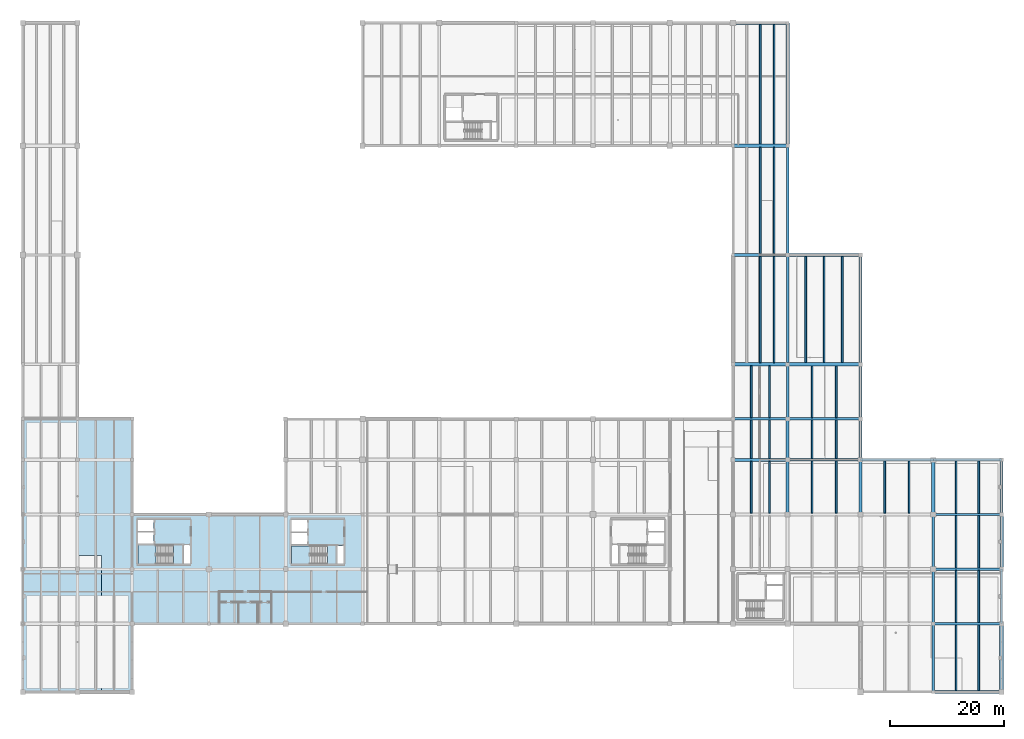
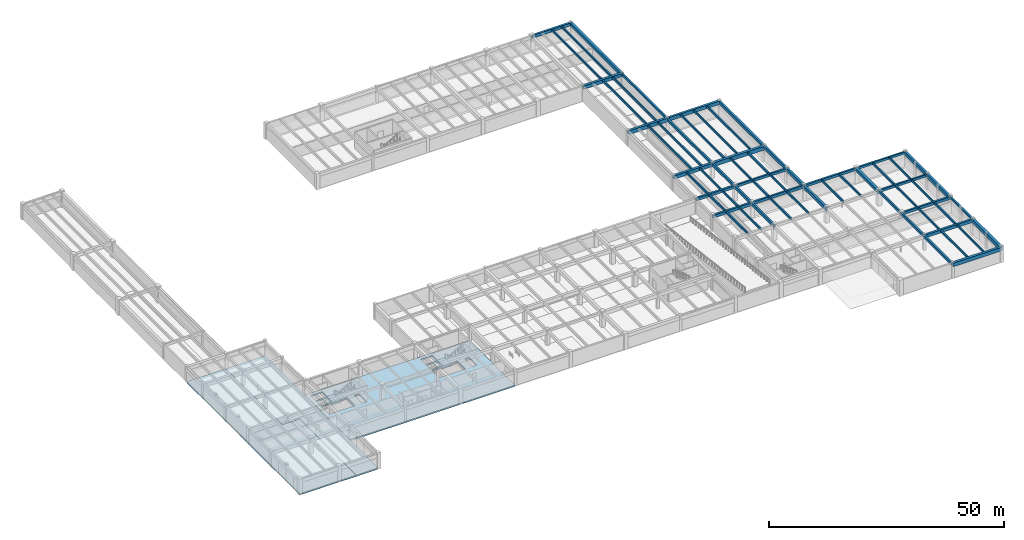
# One storey, part 6 of 28: 65 beams, 5 slabs, 2 elements without a shape of their own.
"""IFC4 building model written with IfcOpenShell, lengths in metres."""

import ifcopenshell
import ifcopenshell.guid

model = None  # the IFC model being written
_history = None  # IfcOwnerHistory: only IFC2X3 demands one
_inside = {}  # id of a spatial element -> (the spatial element, [elements in it])
_under = {}  # id of a project, library or spatial element -> (it, [spatial elements below it])
_declared = {}  # id of a project -> (the project, [libraries it declares])
_typed = {}  # id of a type object -> (the type object, [elements of that type])
_made_of = {}  # id of a material, layer set ... -> (it, [elements and type objects made of it])


def new_model(schema):
    """Start an empty IFC model of exactly this schema.

    Asked for "IFC4X3", IfcOpenShell would pick the latest addendum, in which some entities
    have other attributes; the version numbers below select the first issue.
    IFC2X3 requires an IfcOwnerHistory on every rooted entity: one is made here for all.
    """
    global model, _history
    if schema == "IFC4X3":
        model = ifcopenshell.file(schema_version=(4, 3, 0, 0))
    else:
        model = ifcopenshell.file(schema=schema)
    _inside.clear()
    _under.clear()
    _declared.clear()
    _typed.clear()
    _made_of.clear()
    _history = None
    if model.schema == "IFC2X3":
        org = make("IfcOrganization", Name="unknown")
        user = make(
            "IfcPersonAndOrganization",
            ThePerson=make("IfcPerson", FamilyName="unknown"),
            TheOrganization=org,
        )
        app = make(
            "IfcApplication",
            ApplicationDeveloper=org,
            Version="unknown",
            ApplicationFullName="unknown",
            ApplicationIdentifier="unknown",
        )
        _history = make(
            "IfcOwnerHistory",
            OwningUser=user,
            OwningApplication=app,
            ChangeAction="ADDED",
            CreationDate=0,
        )
    return model


def make(cls, **values):
    """One entity of the class cls with the attributes given. An attribute that is None is left unset."""
    return model.create_entity(
        cls, **{name: value for name, value in values.items() if value is not None}
    )


def rooted(cls, **values):
    """An entity with a GlobalId (a new one), such as an element, a storey or a relation."""
    return make(cls, GlobalId=ifcopenshell.guid.new(), OwnerHistory=_history, **values)


def si_unit(unit_type, name, prefix=None):
    """IfcSIUnit, for example si_unit("LENGTHUNIT", "METRE", prefix="MILLI")."""
    return make("IfcSIUnit", UnitType=unit_type, Prefix=prefix, Name=name)


def assignment(units):
    """IfcUnitAssignment: the units of a project."""
    return None if units is None else make("IfcUnitAssignment", Units=units)


def point(xyz):
    """IfcCartesianPoint."""
    return None if xyz is None else make("IfcCartesianPoint", Coordinates=xyz)


def direction(xyz):
    """IfcDirection."""
    return None if xyz is None else make("IfcDirection", DirectionRatios=xyz)


def frame(location, z_axis=None, x_axis=None):
    """IfcAxis2Placement3D, a coordinate frame: its origin and axes. An axis left out is left unset."""
    return make(
        "IfcAxis2Placement3D",
        Location=point(location),
        Axis=direction(z_axis),
        RefDirection=direction(x_axis),
    )


def frame_2d(location, x_axis=None):
    """IfcAxis2Placement2D, a coordinate frame in the plane: its origin and x axis."""
    return make(
        "IfcAxis2Placement2D", Location=point(location), RefDirection=direction(x_axis)
    )


def origin():
    """The frame at (0, 0, 0) with its axes left unset."""
    return frame((0.0, 0.0, 0.0))


def origin_2d():
    """The frame at (0, 0) in the plane with its x axis left unset."""
    return frame_2d((0.0, 0.0))


def place(relative_to, where):
    """IfcLocalPlacement: puts the frame where relative to a parent placement (None: the world)."""
    return make(
        "IfcLocalPlacement", PlacementRelTo=relative_to, RelativePlacement=where
    )


def context(
    kind, dimensions, precision=None, world=None, true_north=None, identifier=None
):
    """IfcGeometricRepresentationContext, for example the 3D "Model" context."""
    return make(
        "IfcGeometricRepresentationContext",
        ContextIdentifier=identifier,
        ContextType=kind,
        CoordinateSpaceDimension=dimensions,
        Precision=precision,
        WorldCoordinateSystem=world,
        TrueNorth=true_north,
    )


def subcontext(parent, identifier, kind, view, scale=None):
    """IfcGeometricRepresentationSubContext, for example "Body" below "Model"."""
    return make(
        "IfcGeometricRepresentationSubContext",
        ContextIdentifier=identifier,
        ContextType=kind,
        ParentContext=parent,
        TargetScale=scale,
        TargetView=view,
    )


def project(units=None, contexts=None):
    """IfcProject with its units and contexts."""
    return rooted(
        "IfcProject",
        Name="project",
        RepresentationContexts=contexts,
        UnitsInContext=assignment(units),
    )


def spatial(cls, under=None, at=None, **own):
    """A site, building, storey or space (cls), placed at a placement, below another one or the project."""
    s = rooted(cls, ObjectPlacement=at, **own)
    if under is not None:
        _under.setdefault(under.id(), (under, []))[1].append(s)
    return s


def polyline(points):
    """IfcPolyline through the points."""
    return make("IfcPolyline", Points=[point(p) for p in points])


def profile(cls, at=None, kind="AREA", **sizes):
    """A parametric profile (cls). Its sizes go by their IFC names, for example OverallWidth=200.0."""
    return make(cls, ProfileType=kind, Position=at, **sizes)


def rectangle(**sizes):
    """IfcRectangleProfileDef."""
    return profile("IfcRectangleProfileDef", **sizes)


def outline(outer, holes=None, kind="AREA"):
    """IfcArbitraryClosedProfileDef: a profile drawn as a closed curve; with holes, ...WithVoids."""
    if holes is None:
        return make("IfcArbitraryClosedProfileDef", ProfileType=kind, OuterCurve=outer)
    return make(
        "IfcArbitraryProfileDefWithVoids",
        ProfileType=kind,
        OuterCurve=outer,
        InnerCurves=holes,
    )


def extrude(swept, where, along, depth):
    """IfcExtrudedAreaSolid: the profile swept, set in the frame where, extruded along a direction by depth."""
    return make(
        "IfcExtrudedAreaSolid",
        SweptArea=swept,
        Position=where,
        ExtrudedDirection=direction(along),
        Depth=depth,
    )


def shape(context_of_items, identifier, shape_type, items):
    """IfcShapeRepresentation: the items that make up one representation, for example the "Body"."""
    return make(
        "IfcShapeRepresentation",
        ContextOfItems=context_of_items,
        RepresentationIdentifier=identifier,
        RepresentationType=shape_type,
        Items=items,
    )


def material(Name=None, Category=None):
    """IfcMaterial."""
    return make("IfcMaterial", Name=Name, Category=Category)


def layer(
    of_material, thickness, ventilated=None, Name=None, Category=None, Priority=None
):
    """IfcMaterialLayer: one layer of a wall or slab, of a material (None: an air gap)."""
    return make(
        "IfcMaterialLayer",
        Material=of_material,
        LayerThickness=thickness,
        IsVentilated=ventilated,
        Name=Name,
        Category=Category,
        Priority=Priority,
    )


def layer_set(layers, Name=None):
    """IfcMaterialLayerSet."""
    return make("IfcMaterialLayerSet", MaterialLayers=layers, LayerSetName=Name)


def material_profile(
    of_material, cross_section, Name=None, Category=None, Priority=None
):
    """IfcMaterialProfile: a cross section and its material."""
    return make(
        "IfcMaterialProfile",
        Name=Name,
        Material=of_material,
        Profile=cross_section,
        Priority=Priority,
        Category=Category,
    )


def profile_set(profiles, Name=None, composite=None):
    """IfcMaterialProfileSet."""
    return make(
        "IfcMaterialProfileSet",
        Name=Name,
        MaterialProfiles=profiles,
        CompositeProfile=composite,
    )


def made_of(thing, what):
    """Note that an element or type object is made of a material, layer set ...; save() writes the relation."""
    if what is not None:
        _made_of.setdefault(what.id(), (what, []))[1].append(thing)
    return thing


def type_object(cls, material=None, **own):
    """A type object (cls), such as IfcWallType, which elements share."""
    return made_of(rooted(cls, **own), material)


def element(
    cls,
    number,
    at=None,
    inside=None,
    cuts=None,
    type_object=None,
    material=None,
    context=None,
    identifier="Body",
    shape_type=None,
    held_by="IfcProductDefinitionShape",
    body=None,
    shapes=None,
    **own,
):
    """One element of the class cls, such as IfcWall. Its Tag is "e" and its number.

    at: its placement. inside: the storey or other place that contains it. cuts: it is an
    opening in that element (IfcRelVoidsElement). A single representation is given by context,
    identifier, shape_type and body (its items); several are given by shapes. held_by: the class
    of the entity that holds the representations. save() writes the other relations.
    """
    e = rooted(cls, Tag="e%d" % number, ObjectPlacement=at, **own)
    if body is not None:
        shapes = [shape(context, identifier, shape_type, body)]
    if shapes is not None:
        e.Representation = make(held_by, Representations=shapes)
    if inside is not None:
        _inside.setdefault(inside.id(), (inside, []))[1].append(e)
    if cuts is not None:
        rooted(
            "IfcRelVoidsElement", RelatingBuildingElement=cuts, RelatedOpeningElement=e
        )
    if type_object is not None:
        _typed.setdefault(type_object.id(), (type_object, []))[1].append(e)
    return made_of(e, material)


def aggregate(whole, parts):
    """IfcRelAggregates: a whole, such as a stair, and the parts it consists of."""
    return rooted("IfcRelAggregates", RelatingObject=whole, RelatedObjects=parts)


def save(model, path):
    """Write the relations noted so far, then the file.

    IfcRelAggregates (storeys below a building ...), IfcRelContainedInSpatialStructure (elements
    in a storey), IfcRelDefinesByType, IfcRelAssociatesMaterial and IfcRelDeclares: one each for
    every whole, place, type object, material and project.
    """
    for whole, parts in _under.values():
        aggregate(whole, parts)
    for where, things in _inside.values():
        rooted(
            "IfcRelContainedInSpatialStructure",
            RelatedElements=things,
            RelatingStructure=where,
        )
    for kind, things in _typed.values():
        rooted("IfcRelDefinesByType", RelatedObjects=things, RelatingType=kind)
    for what, things in _made_of.values():
        rooted("IfcRelAssociatesMaterial", RelatedObjects=things, RelatingMaterial=what)
    for by, libraries in _declared.values():
        rooted("IfcRelDeclares", RelatingContext=by, RelatedDefinitions=libraries)
    model.write(path)


model = new_model("IFC4")

# Units and contexts
model_context = context("Model", 3, precision=1e-05, world=origin(), true_north=direction((0.0, 1.0)))
body_context = subcontext(model_context, "Body", "Model", "MODEL_VIEW")
ifc_project = project(units=[si_unit("LENGTHUNIT", "METRE"), si_unit("AREAUNIT", "SQUARE_METRE"), si_unit("VOLUMEUNIT", "CUBIC_METRE"), si_unit("PLANEANGLEUNIT", "RADIAN"), si_unit("MASSUNIT", "GRAM", prefix="KILO")], contexts=[model_context])

# Site, building, storey
site_placement = place(None, origin())
site = spatial("IfcSite", under=ifc_project, at=site_placement, CompositionType="ELEMENT")
building_placement = place(site_placement, origin())
building = spatial("IfcBuilding", under=site, at=building_placement, Name="Fikremerkos Civic Library", CompositionType="ELEMENT")
storey_placement = place(building_placement, frame((0.0, 0.0, -4.199951171875)))
storey = spatial("IfcBuildingStorey", under=building, at=storey_placement, Name="B01", CompositionType="ELEMENT", Elevation=-4.199951171875)

# Beams
ifc_material_1 = material(Name="Concrete C40/50", Category="concrete")
ifc_material_profile_1 = material_profile(ifc_material_1, rectangle(XDim=0.300048828125, YDim=0.52001953125, at=origin_2d()), Name="RC 300x520")
ifc_profile_set_1 = profile_set([ifc_material_profile_1], Name="Concrete C40/50")
beam_type_1 = type_object("IfcBeamType", Name="Floor joist JS-03 RC 300x520", PredefinedType="JOIST", material=ifc_profile_set_1)
for number, where, z_axis, x_axis, name in (
    (1, (128.0, 31.449951171875, 3.619873046875), (0.0, 1.0, 0.0), (-1.0, 0.0, 0.0), "Floor joist JS-03 B01 #225"),
    (2, (131.199951171875, 31.449951171875, 3.619873046875), (0.0, 1.0, 0.0), (-1.0, 0.0, 0.0), "Floor joist JS-03 B01 #226"),
):
    element("IfcBeam", number, at=place(storey_placement, frame(where, z_axis=z_axis, x_axis=x_axis)), inside=storey, type_object=beam_type_1, Name=name, PredefinedType="JOIST", context=body_context, shape_type="SweptSolid", body=[
        extrude(rectangle(XDim=0.300048828125, YDim=0.52001953125, at=origin_2d()), origin(), (0.0, 0.0, 1.0), 9.10009765625),
    ])
for number, where, z_axis, x_axis, name in (
    (3, (128.0, 41.050048828125, 3.659912109375), (0.0, 1.0, 0.0), (-1.0, 0.0, 0.0), "Floor joist JS-03 B01 #227"),
    (4, (131.199951171875, 41.050048828125, 3.659912109375), (0.0, 1.0, 0.0), (-1.0, 0.0, 0.0), "Floor joist JS-03 B01 #228"),
):
    element("IfcBeam", number, at=place(storey_placement, frame(where, z_axis=z_axis, x_axis=x_axis)), inside=storey, type_object=beam_type_1, Name=name, PredefinedType="JOIST", context=body_context, shape_type="SweptSolid", body=[
        extrude(rectangle(XDim=0.300048828125, YDim=0.52001953125, at=origin_2d()), origin(), (0.0, 0.0, 1.0), 6.724853515625),
    ])
for number, where, z_axis, x_axis, name in (
    (5, (128.0, 48.22509765625, 3.659912109375), (0.0, 1.0, 0.0), (-1.0, 0.0, 0.0), "Floor joist JS-03 B01 #229"),
    (6, (131.199951171875, 48.22509765625, 3.659912109375), (0.0, 1.0, 0.0), (-1.0, 0.0, 0.0), "Floor joist JS-03 B01 #230"),
):
    element("IfcBeam", number, at=place(storey_placement, frame(where, z_axis=z_axis, x_axis=x_axis)), inside=storey, type_object=beam_type_1, Name=name, PredefinedType="JOIST", context=body_context, shape_type="SweptSolid", body=[
        extrude(rectangle(XDim=0.300048828125, YDim=0.52001953125, at=origin_2d()), origin(), (0.0, 0.0, 1.0), 9.074951171875),
    ])
for number, where, z_axis, x_axis, name in (
    (7, (129.60009765625, 57.89990234375, 3.659912109375), (0.0, 1.0, 0.0), (-1.0, 0.0, 0.0), "Floor joist JS-03 B01 #232"),
    (8, (132.0, 57.89990234375, 3.659912109375), (0.0, 1.0, 0.0), (-1.0, 0.0, 0.0), "Floor joist JS-03 B01 #233"),
):
    element("IfcBeam", number, at=place(storey_placement, frame(where, z_axis=z_axis, x_axis=x_axis)), inside=storey, type_object=beam_type_1, Name=name, PredefinedType="JOIST", context=body_context, shape_type="SweptSolid", body=[
        extrude(rectangle(XDim=0.300048828125, YDim=0.52001953125, at=origin_2d()), origin(), (0.0, 0.0, 1.0), 18.60009765625),
    ])
for number, where, z_axis, x_axis, name in (
    (9, (129.60009765625, 77.10009765625, 3.679931640625), (0.0, 1.0, 0.0), (-1.0, 0.0, 0.0), "Floor joist JS-03 B01 #235"),
    (10, (132.0, 77.10009765625, 3.679931640625), (0.0, 1.0, 0.0), (-1.0, 0.0, 0.0), "Floor joist JS-03 B01 #236"),
):
    element("IfcBeam", number, at=place(storey_placement, frame(where, z_axis=z_axis, x_axis=x_axis)), inside=storey, type_object=beam_type_1, Name=name, PredefinedType="JOIST", context=body_context, shape_type="SweptSolid", body=[
        extrude(rectangle(XDim=0.300048828125, YDim=0.52001953125, at=origin_2d()), origin(), (0.0, 0.0, 1.0), 18.599853515625),
    ])
for number, where, z_axis, x_axis, name in (
    (11, (129.60009765625, 96.300048828125, 3.659912109375), (0.0, 1.0, 0.0), (-1.0, 0.0, 0.0), "Floor joist JS-03 B01 #238"),
    (12, (132.0, 96.300048828125, 3.659912109375), (0.0, 1.0, 0.0), (-1.0, 0.0, 0.0), "Floor joist JS-03 B01 #239"),
):
    element("IfcBeam", number, at=place(storey_placement, frame(where, z_axis=z_axis, x_axis=x_axis)), inside=storey, type_object=beam_type_1, Name=name, PredefinedType="JOIST", context=body_context, shape_type="SweptSolid", body=[
        extrude(rectangle(XDim=0.300048828125, YDim=0.52001953125, at=origin_2d()), origin(), (0.0, 0.0, 1.0), 21.050048828125),
    ])
for number, where, z_axis, x_axis, name in (
    (13, (138.666748046875, 31.425048828125, 3.619873046875), (0.0, 1.0, 0.0), (-1.0, 0.0, 0.0), "Floor joist JS-03 B01 #244"),
    (14, (142.933349609375, 31.425048828125, 3.619873046875), (0.0, 1.0, 0.0), (-1.0, 0.0, 0.0), "Floor joist JS-03 B01 #245"),
):
    element("IfcBeam", number, at=place(storey_placement, frame(where, z_axis=z_axis, x_axis=x_axis)), inside=storey, type_object=beam_type_1, Name=name, PredefinedType="JOIST", context=body_context, shape_type="SweptSolid", body=[
        extrude(rectangle(XDim=0.300048828125, YDim=0.52001953125, at=origin_2d()), origin(), (0.0, 0.0, 1.0), 9.14990234375),
    ])
for number, where, z_axis, x_axis, name in (
    (15, (138.666748046875, 41.02490234375, 3.659912109375), (0.0, 1.0, 0.0), (-1.0, 0.0, 0.0), "Floor joist JS-03 B01 #246"),
    (16, (142.933349609375, 41.02490234375, 3.659912109375), (0.0, 1.0, 0.0), (-1.0, 0.0, 0.0), "Floor joist JS-03 B01 #247"),
):
    element("IfcBeam", number, at=place(storey_placement, frame(where, z_axis=z_axis, x_axis=x_axis)), inside=storey, type_object=beam_type_1, Name=name, PredefinedType="JOIST", context=body_context, shape_type="SweptSolid", body=[
        extrude(rectangle(XDim=0.300048828125, YDim=0.52001953125, at=origin_2d()), origin(), (0.0, 0.0, 1.0), 6.75),
    ])
for number, where, z_axis, x_axis, name in (
    (17, (138.666748046875, 48.22509765625, 3.659912109375), (0.0, 1.0, 0.0), (-1.0, 0.0, 0.0), "Floor joist JS-03 B01 #248"),
    (18, (142.933349609375, 48.22509765625, 3.659912109375), (0.0, 1.0, 0.0), (-1.0, 0.0, 0.0), "Floor joist JS-03 B01 #249"),
):
    element("IfcBeam", number, at=place(storey_placement, frame(where, z_axis=z_axis, x_axis=x_axis)), inside=storey, type_object=beam_type_1, Name=name, PredefinedType="JOIST", context=body_context, shape_type="SweptSolid", body=[
        extrude(rectangle(XDim=0.300048828125, YDim=0.52001953125, at=origin_2d()), origin(), (0.0, 0.0, 1.0), 9.0498046875),
    ])
for number, where, z_axis, x_axis, name in (
    (19, (137.60009765625, 57.925048828125, 3.659912109375), (0.0, 1.0, 0.0), (-1.0, 0.0, 0.0), "Floor joist JS-03 B01 #250"),
    (20, (140.800048828125, 57.925048828125, 3.659912109375), (0.0, 1.0, 0.0), (-1.0, 0.0, 0.0), "Floor joist JS-03 B01 #251"),
    (21, (144.0, 57.925048828125, 3.659912109375), (0.0, 1.0, 0.0), (-1.0, 0.0, 0.0), "Floor joist JS-03 B01 #252"),
):
    element("IfcBeam", number, at=place(storey_placement, frame(where, z_axis=z_axis, x_axis=x_axis)), inside=storey, type_object=beam_type_1, Name=name, PredefinedType="JOIST", context=body_context, shape_type="SweptSolid", body=[
        extrude(rectangle(XDim=0.300048828125, YDim=0.52001953125, at=origin_2d()), origin(), (0.0, 0.0, 1.0), 18.599853515625),
    ])
for number, where, z_axis, x_axis, name in (
    (22, (151.466796875, 31.425048828125, 3.619873046875), (0.0, 1.0, 0.0), (-1.0, 0.0, 0.0), "Floor joist JS-03 B01 #259"),
    (23, (155.7333984375, 31.425048828125, 3.619873046875), (0.0, 1.0, 0.0), (-1.0, 0.0, 0.0), "Floor joist JS-03 B01 #260"),
):
    element("IfcBeam", number, at=place(storey_placement, frame(where, z_axis=z_axis, x_axis=x_axis)), inside=storey, type_object=beam_type_1, Name=name, PredefinedType="JOIST", context=body_context, shape_type="SweptSolid", body=[
        extrude(rectangle(XDim=0.300048828125, YDim=0.52001953125, at=origin_2d()), origin(), (0.0, 0.0, 1.0), 9.14990234375),
    ])
for number, where, z_axis, x_axis, name in (
    (24, (164.0, 0.300048828125, 3.659912109375), (0.0, 1.0, 0.0), (-1.0, 0.0, 0.0), "Floor joist JS-03 B01 #261"),
    (25, (168.0, 0.300048828125, 3.659912109375), (0.0, 1.0, 0.0), (-1.0, 0.0, 0.0), "Floor joist JS-03 B01 #262"),
):
    element("IfcBeam", number, at=place(storey_placement, frame(where, z_axis=z_axis, x_axis=x_axis)), inside=storey, type_object=beam_type_1, Name=name, PredefinedType="JOIST", context=body_context, shape_type="SweptSolid", body=[
        extrude(rectangle(XDim=0.300048828125, YDim=0.52001953125, at=origin_2d()), origin(), (0.0, 0.0, 1.0), 11.449951171875),
    ])
for number, where, z_axis, x_axis, name in (
    (26, (164.0, 12.25, 3.619873046875), (0.0, 1.0, 0.0), (-1.0, 0.0, 0.0), "Floor joist JS-03 B01 #263"),
    (27, (168.0, 12.25, 3.619873046875), (0.0, 1.0, 0.0), (-1.0, 0.0, 0.0), "Floor joist JS-03 B01 #264"),
):
    element("IfcBeam", number, at=place(storey_placement, frame(where, z_axis=z_axis, x_axis=x_axis)), inside=storey, type_object=beam_type_1, Name=name, PredefinedType="JOIST", context=body_context, shape_type="SweptSolid", body=[
        extrude(rectangle(XDim=0.300048828125, YDim=0.52001953125, at=origin_2d()), origin(), (0.0, 0.0, 1.0), 9.125),
    ])
for number, where, z_axis, x_axis, name in (
    (28, (164.0, 21.824951171875, 3.619873046875), (0.0, 1.0, 0.0), (-1.0, 0.0, 0.0), "Floor joist JS-03 B01 #265"),
    (29, (168.0, 21.824951171875, 3.619873046875), (0.0, 1.0, 0.0), (-1.0, 0.0, 0.0), "Floor joist JS-03 B01 #266"),
):
    element("IfcBeam", number, at=place(storey_placement, frame(where, z_axis=z_axis, x_axis=x_axis)), inside=storey, type_object=beam_type_1, Name=name, PredefinedType="JOIST", context=body_context, shape_type="SweptSolid", body=[
        extrude(rectangle(XDim=0.300048828125, YDim=0.52001953125, at=origin_2d()), origin(), (0.0, 0.0, 1.0), 9.175048828125),
    ])
for number, where, z_axis, x_axis, name in (
    (30, (164.0, 31.39990234375, 3.619873046875), (0.0, 1.0, 0.0), (-1.0, 0.0, 0.0), "Floor joist JS-03 B01 #267"),
    (31, (168.0, 31.39990234375, 3.619873046875), (0.0, 1.0, 0.0), (-1.0, 0.0, 0.0), "Floor joist JS-03 B01 #268"),
):
    element("IfcBeam", number, at=place(storey_placement, frame(where, z_axis=z_axis, x_axis=x_axis)), inside=storey, type_object=beam_type_1, Name=name, PredefinedType="JOIST", context=body_context, shape_type="SweptSolid", body=[
        extrude(rectangle(XDim=0.300048828125, YDim=0.52001953125, at=origin_2d()), origin(), (0.0, 0.0, 1.0), 9.2001953125),
    ])
ifc_material_profile_2 = material_profile(ifc_material_1, rectangle(XDim=0.60009765625, YDim=0.949951171875, at=origin_2d()), Name="RC 600x950")
ifc_profile_set_2 = profile_set([ifc_material_profile_2], Name="Concrete C40/50")
beam_type_2 = type_object("IfcBeamType", Name="Primary girder BM-01 RC 600x950", PredefinedType="BEAM", material=ifc_profile_set_2)
beam_1_placement = place(storey_placement, frame((160.0, 0.0, 3.445068359375), z_axis=(1.0, 0.0, 0.0), x_axis=(0.0, 1.0, 0.0)))
element("IfcBeam", 32, at=beam_1_placement, inside=storey, type_object=beam_type_2, Name="Primary girder BM-01 B01 grid A", PredefinedType="BEAM", context=body_context, shape_type="SweptSolid", body=[
    extrude(rectangle(XDim=0.60009765625, YDim=0.949951171875, at=origin_2d()), origin(), (0.0, 0.0, 1.0), 12.0),
])
for number, where, z_axis, x_axis, name in (
    (33, (124.800048828125, 76.800048828125, 3.445068359375), (1.0, 0.0, 0.0), (0.0, 1.0, 0.0), "Primary girder BM-01 B01 grid L"),
    (34, (172.0, 21.60009765625, 3.405029296875), (0.0, 1.0, 0.0), (-1.0, 0.0, 0.0), "Primary girder BM-01 B01 grid 15"),
):
    element("IfcBeam", number, at=place(storey_placement, frame(where, z_axis=z_axis, x_axis=x_axis)), inside=storey, type_object=beam_type_2, Name=name, PredefinedType="BEAM", context=body_context, shape_type="SweptSolid", body=[
        extrude(rectangle(XDim=0.60009765625, YDim=0.949951171875, at=origin_2d()), origin(), (0.0, 0.0, 1.0), 9.599853515625),
    ])
ifc_material_profile_3 = material_profile(ifc_material_1, rectangle(XDim=0.550048828125, YDim=0.89990234375, at=origin_2d()), Name="RC 550x900")
ifc_profile_set_3 = profile_set([ifc_material_profile_3], Name="Concrete C40/50")
beam_type_3 = type_object("IfcBeamType", Name="Primary girder BM-02 RC 550x900", PredefinedType="BEAM", material=ifc_profile_set_3)
beam_2_placement = place(storey_placement, frame((134.39990234375, 76.800048828125, 3.469970703125), z_axis=(1.0, 0.0, 0.0), x_axis=(0.0, 1.0, 0.0)))
element("IfcBeam", 35, at=beam_2_placement, inside=storey, type_object=beam_type_3, Name="Primary girder BM-02 B01 grid L", PredefinedType="BEAM", context=body_context, shape_type="SweptSolid", body=[
    extrude(rectangle(XDim=0.550048828125, YDim=0.89990234375, at=origin_2d()), origin(), (0.0, 0.0, 1.0), 12.800048828125),
])
for number, where, z_axis, x_axis, name in (
    (36, (147.199951171875, 31.199951171875, 3.429931640625), (0.0, 1.0, 0.0), (-1.0, 0.0, 0.0), "Primary girder BM-02 B01 grid 13"),
    (37, (172.0, 31.199951171875, 3.429931640625), (0.0, 1.0, 0.0), (-1.0, 0.0, 0.0), "Primary girder BM-02 B01 grid 15"),
):
    element("IfcBeam", number, at=place(storey_placement, frame(where, z_axis=z_axis, x_axis=x_axis)), inside=storey, type_object=beam_type_3, Name=name, PredefinedType="BEAM", context=body_context, shape_type="SweptSolid", body=[
        extrude(rectangle(XDim=0.550048828125, YDim=0.89990234375, at=origin_2d()), origin(), (0.0, 0.0, 1.0), 9.60009765625),
    ])
ifc_material_profile_4 = material_profile(ifc_material_1, rectangle(XDim=0.550048828125, YDim=0.85009765625, at=origin_2d()), Name="RC 550x850")
ifc_profile_set_4 = profile_set([ifc_material_profile_4], Name="Concrete C40/50")
beam_type_4 = type_object("IfcBeamType", Name="Primary girder BM-03 RC 550x850", PredefinedType="BEAM", material=ifc_profile_set_4)
beam_3_placement = place(storey_placement, frame((147.199951171875, 40.800048828125, 3.494873046875), z_axis=(0.0, 1.0, 0.0), x_axis=(-1.0, 0.0, 0.0)))
element("IfcBeam", 38, at=beam_3_placement, inside=storey, type_object=beam_type_4, Name="Primary girder BM-03 B01 grid 13", PredefinedType="BEAM", context=body_context, shape_type="SweptSolid", body=[
    extrude(rectangle(XDim=0.550048828125, YDim=0.85009765625, at=origin_2d()), origin(), (0.0, 0.0, 1.0), 7.199951171875),
])
ifc_material_profile_5 = material_profile(ifc_material_1, rectangle(XDim=0.5, YDim=0.800048828125, at=origin_2d()), Name="RC 500x800")
ifc_profile_set_5 = profile_set([ifc_material_profile_5], Name="Concrete C40/50")
beam_type_5 = type_object("IfcBeamType", Name="Primary girder BM-04 RC 500x800", PredefinedType="BEAM", material=ifc_profile_set_5)
beam_4_placement = place(storey_placement, frame((160.0, 12.0, 3.47998046875), z_axis=(1.0, 0.0, 0.0), x_axis=(0.0, 1.0, 0.0)))
element("IfcBeam", 39, at=beam_4_placement, inside=storey, type_object=beam_type_5, Name="Primary girder BM-04 B01 grid E", PredefinedType="BEAM", context=body_context, shape_type="SweptSolid", body=[
    extrude(rectangle(XDim=0.5, YDim=0.800048828125, at=origin_2d()), origin(), (0.0, 0.0, 1.0), 12.0),
])
for number, where, z_axis, x_axis, name in (
    (40, (134.39990234375, 31.199951171875, 3.47998046875), (0.0, 1.0, 0.0), (-1.0, 0.0, 0.0), "Primary girder BM-04 B01 grid 12"),
    (41, (147.199951171875, 48.0, 3.52001953125), (0.0, 1.0, 0.0), (-1.0, 0.0, 0.0), "Primary girder BM-04 B01 grid 13"),
):
    element("IfcBeam", number, at=place(storey_placement, frame(where, z_axis=z_axis, x_axis=x_axis)), inside=storey, type_object=beam_type_5, Name=name, PredefinedType="BEAM", context=body_context, shape_type="SweptSolid", body=[
        extrude(rectangle(XDim=0.5, YDim=0.800048828125, at=origin_2d()), origin(), (0.0, 0.0, 1.0), 9.60009765625),
    ])
ifc_material_profile_6 = material_profile(ifc_material_1, rectangle(XDim=0.5, YDim=0.75, at=origin_2d()), Name="RC 500x750")
ifc_profile_set_6 = profile_set([ifc_material_profile_6], Name="Concrete C40/50")
beam_type_6 = type_object("IfcBeamType", Name="Primary girder BM-05 RC 500x750", PredefinedType="BEAM", material=ifc_profile_set_6)
for number, where, z_axis, x_axis, name in (
    (42, (124.800048828125, 40.800048828125, 3.5048828125), (1.0, 0.0, 0.0), (0.0, 1.0, 0.0), "Primary girder BM-05 B01 grid H"),
    (43, (124.800048828125, 117.60009765625, 3.544921875), (1.0, 0.0, 0.0), (0.0, 1.0, 0.0), "Primary girder BM-05 B01 grid N"),
):
    element("IfcBeam", number, at=place(storey_placement, frame(where, z_axis=z_axis, x_axis=x_axis)), inside=storey, type_object=beam_type_6, Name=name, PredefinedType="BEAM", context=body_context, shape_type="SweptSolid", body=[
        extrude(rectangle(XDim=0.5, YDim=0.75, at=origin_2d()), origin(), (0.0, 0.0, 1.0), 9.599853515625),
    ])
beam_5_placement = place(storey_placement, frame((134.39990234375, 40.800048828125, 3.544921875), z_axis=(0.0, 1.0, 0.0), x_axis=(-1.0, 0.0, 0.0)))
element("IfcBeam", 44, at=beam_5_placement, inside=storey, type_object=beam_type_6, Name="Primary girder BM-05 B01 grid 12", PredefinedType="BEAM", context=body_context, shape_type="SweptSolid", body=[
    extrude(rectangle(XDim=0.5, YDim=0.75, at=origin_2d()), origin(), (0.0, 0.0, 1.0), 7.199951171875),
])
beam_6_placement = place(storey_placement, frame((147.199951171875, 57.60009765625, 3.544921875), z_axis=(0.0, 1.0, 0.0), x_axis=(-1.0, 0.0, 0.0)))
element("IfcBeam", 45, at=beam_6_placement, inside=storey, type_object=beam_type_6, Name="Primary girder BM-05 B01 grid 13", PredefinedType="BEAM", context=body_context, shape_type="SweptSolid", body=[
    extrude(rectangle(XDim=0.5, YDim=0.75, at=origin_2d()), origin(), (0.0, 0.0, 1.0), 19.199951171875),
])
ifc_material_profile_7 = material_profile(ifc_material_1, rectangle(XDim=0.449951171875, YDim=0.699951171875, at=origin_2d()), Name="RC 450x700")
ifc_profile_set_7 = profile_set([ifc_material_profile_7], Name="Concrete C40/50")
beam_type_7 = type_object("IfcBeamType", Name="Primary girder BM-06 RC 450x700", PredefinedType="BEAM", material=ifc_profile_set_7)
beam_7_placement = place(storey_placement, frame((160.0, 21.60009765625, 3.530029296875), z_axis=(1.0, 0.0, 0.0), x_axis=(0.0, 1.0, 0.0)))
element("IfcBeam", 46, at=beam_7_placement, inside=storey, type_object=beam_type_7, Name="Primary girder BM-06 B01 grid F", PredefinedType="BEAM", context=body_context, shape_type="SweptSolid", body=[
    extrude(rectangle(XDim=0.449951171875, YDim=0.699951171875, at=origin_2d()), origin(), (0.0, 0.0, 1.0), 12.0),
])
beam_8_placement = place(storey_placement, frame((134.39990234375, 40.800048828125, 3.530029296875), z_axis=(1.0, 0.0, 0.0), x_axis=(0.0, 1.0, 0.0)))
element("IfcBeam", 47, at=beam_8_placement, inside=storey, type_object=beam_type_7, Name="Primary girder BM-06 B01 grid H", PredefinedType="BEAM", context=body_context, shape_type="SweptSolid", body=[
    extrude(rectangle(XDim=0.449951171875, YDim=0.699951171875, at=origin_2d()), origin(), (0.0, 0.0, 1.0), 12.800048828125),
])
beam_9_placement = place(storey_placement, frame((124.800048828125, 48.0, 3.570068359375), z_axis=(1.0, 0.0, 0.0), x_axis=(0.0, 1.0, 0.0)))
element("IfcBeam", 48, at=beam_9_placement, inside=storey, type_object=beam_type_7, Name="Primary girder BM-06 B01 grid J", PredefinedType="BEAM", context=body_context, shape_type="SweptSolid", body=[
    extrude(rectangle(XDim=0.449951171875, YDim=0.699951171875, at=origin_2d()), origin(), (0.0, 0.0, 1.0), 9.599853515625),
])
beam_10_placement = place(storey_placement, frame((134.39990234375, 48.0, 3.570068359375), z_axis=(0.0, 1.0, 0.0), x_axis=(-1.0, 0.0, 0.0)))
element("IfcBeam", 49, at=beam_10_placement, inside=storey, type_object=beam_type_7, Name="Primary girder BM-06 B01 grid 12", PredefinedType="BEAM", context=body_context, shape_type="SweptSolid", body=[
    extrude(rectangle(XDim=0.449951171875, YDim=0.699951171875, at=origin_2d()), origin(), (0.0, 0.0, 1.0), 9.60009765625),
])
beam_11_placement = place(storey_placement, frame((160.0, 0.0, 3.570068359375), z_axis=(0.0, 1.0, 0.0), x_axis=(-1.0, 0.0, 0.0)))
element("IfcBeam", 50, at=beam_11_placement, inside=storey, type_object=beam_type_7, Name="Primary girder BM-06 B01 grid 14", PredefinedType="BEAM", context=body_context, shape_type="SweptSolid", body=[
    extrude(rectangle(XDim=0.449951171875, YDim=0.699951171875, at=origin_2d()), origin(), (0.0, 0.0, 1.0), 12.0),
])
ifc_material_profile_8 = material_profile(ifc_material_1, rectangle(XDim=0.449951171875, YDim=0.64990234375, at=origin_2d()), Name="RC 450x650")
ifc_profile_set_8 = profile_set([ifc_material_profile_8], Name="Concrete C40/50")
beam_type_8 = type_object("IfcBeamType", Name="Primary girder BM-07 RC 450x650", PredefinedType="BEAM", material=ifc_profile_set_8)
for number, where, z_axis, x_axis, name in (
    (51, (147.199951171875, 40.800048828125, 3.554931640625), (1.0, 0.0, 0.0), (0.0, 1.0, 0.0), "Primary girder BM-07 B01 grid H"),
    (52, (134.39990234375, 48.0, 3.594970703125), (1.0, 0.0, 0.0), (0.0, 1.0, 0.0), "Primary girder BM-07 B01 grid J"),
):
    element("IfcBeam", number, at=place(storey_placement, frame(where, z_axis=z_axis, x_axis=x_axis)), inside=storey, type_object=beam_type_8, Name=name, PredefinedType="BEAM", context=body_context, shape_type="SweptSolid", body=[
        extrude(rectangle(XDim=0.449951171875, YDim=0.64990234375, at=origin_2d()), origin(), (0.0, 0.0, 1.0), 12.800048828125),
    ])
beam_12_placement = place(storey_placement, frame((134.39990234375, 57.60009765625, 3.594970703125), z_axis=(0.0, 1.0, 0.0), x_axis=(-1.0, 0.0, 0.0)))
element("IfcBeam", 53, at=beam_12_placement, inside=storey, type_object=beam_type_8, Name="Primary girder BM-07 B01 grid 12", PredefinedType="BEAM", context=body_context, shape_type="SweptSolid", body=[
    extrude(rectangle(XDim=0.449951171875, YDim=0.64990234375, at=origin_2d()), origin(), (0.0, 0.0, 1.0), 19.199951171875),
])
beam_13_placement = place(storey_placement, frame((160.0, 12.0, 3.554931640625), z_axis=(0.0, 1.0, 0.0), x_axis=(-1.0, 0.0, 0.0)))
element("IfcBeam", 54, at=beam_13_placement, inside=storey, type_object=beam_type_8, Name="Primary girder BM-07 B01 grid 14", PredefinedType="BEAM", context=body_context, shape_type="SweptSolid", body=[
    extrude(rectangle(XDim=0.449951171875, YDim=0.64990234375, at=origin_2d()), origin(), (0.0, 0.0, 1.0), 9.60009765625),
])
ifc_material_profile_9 = material_profile(ifc_material_1, rectangle(XDim=0.39990234375, YDim=0.60009765625, at=origin_2d()), Name="RC 400x600")
ifc_profile_set_9 = profile_set([ifc_material_profile_9], Name="Concrete C40/50")
beam_type_9 = type_object("IfcBeamType", Name="Primary girder BM-08 RC 400x600", PredefinedType="BEAM", material=ifc_profile_set_9)
for number, where, z_axis, x_axis, name in (
    (55, (160.0, 31.199951171875, 3.579833984375), (1.0, 0.0, 0.0), (0.0, 1.0, 0.0), "Primary girder BM-08 B01 grid G"),
    (56, (160.0, 40.800048828125, 3.579833984375), (1.0, 0.0, 0.0), (0.0, 1.0, 0.0), "Primary girder BM-08 B01 grid H"),
):
    element("IfcBeam", number, at=place(storey_placement, frame(where, z_axis=z_axis, x_axis=x_axis)), inside=storey, type_object=beam_type_9, Name=name, PredefinedType="BEAM", context=body_context, shape_type="SweptSolid", body=[
        extrude(rectangle(XDim=0.39990234375, YDim=0.60009765625, at=origin_2d()), origin(), (0.0, 0.0, 1.0), 12.0),
    ])
beam_14_placement = place(storey_placement, frame((134.39990234375, 76.800048828125, 3.639892578125), z_axis=(0.0, 1.0, 0.0), x_axis=(-1.0, 0.0, 0.0)))
element("IfcBeam", 57, at=beam_14_placement, inside=storey, type_object=beam_type_9, Name="Primary girder BM-08 B01 grid 12", PredefinedType="BEAM", context=body_context, shape_type="SweptSolid", body=[
    extrude(rectangle(XDim=0.39990234375, YDim=0.60009765625, at=origin_2d()), origin(), (0.0, 0.0, 1.0), 19.199951171875),
])
beam_15_placement = place(storey_placement, frame((160.0, 21.60009765625, 3.579833984375), z_axis=(0.0, 1.0, 0.0), x_axis=(-1.0, 0.0, 0.0)))
element("IfcBeam", 58, at=beam_15_placement, inside=storey, type_object=beam_type_9, Name="Primary girder BM-08 B01 grid 14", PredefinedType="BEAM", context=body_context, shape_type="SweptSolid", body=[
    extrude(rectangle(XDim=0.39990234375, YDim=0.60009765625, at=origin_2d()), origin(), (0.0, 0.0, 1.0), 9.599853515625),
])
ifc_material_profile_10 = material_profile(ifc_material_1, rectangle(XDim=0.60009765625, YDim=0.85009765625, at=origin_2d()), Name="RC 600x850")
ifc_profile_set_10 = profile_set([ifc_material_profile_10], Name="Concrete C40/50")
beam_type_10 = type_object("IfcBeamType", Name="Primary girder BM-24 RC 600x850", PredefinedType="BEAM", material=ifc_profile_set_10)
for number, where, z_axis, x_axis, name in (
    (59, (124.800048828125, 57.60009765625, 3.494873046875), (1.0, 0.0, 0.0), (0.0, 1.0, 0.0), "Primary girder BM-24 B01 grid K"),
    (60, (124.800048828125, 96.0, 3.494873046875), (1.0, 0.0, 0.0), (0.0, 1.0, 0.0), "Primary girder BM-24 B01 grid M"),
):
    element("IfcBeam", number, at=place(storey_placement, frame(where, z_axis=z_axis, x_axis=x_axis)), inside=storey, type_object=beam_type_10, Name=name, PredefinedType="BEAM", context=body_context, shape_type="SweptSolid", body=[
        extrude(rectangle(XDim=0.60009765625, YDim=0.85009765625, at=origin_2d()), origin(), (0.0, 0.0, 1.0), 9.599853515625),
    ])
beam_16_placement = place(storey_placement, frame((134.39990234375, 96.0, 3.494873046875), z_axis=(0.0, 1.0, 0.0), x_axis=(-1.0, 0.0, 0.0)))
element("IfcBeam", 61, at=beam_16_placement, inside=storey, type_object=beam_type_10, Name="Primary girder BM-24 B01 grid 12", PredefinedType="BEAM", context=body_context, shape_type="SweptSolid", body=[
    extrude(rectangle(XDim=0.60009765625, YDim=0.85009765625, at=origin_2d()), origin(), (0.0, 0.0, 1.0), 21.60009765625),
])
beam_17_placement = place(storey_placement, frame((160.0, 31.199951171875, 3.454833984375), z_axis=(0.0, 1.0, 0.0), x_axis=(-1.0, 0.0, 0.0)))
element("IfcBeam", 62, at=beam_17_placement, inside=storey, type_object=beam_type_10, Name="Primary girder BM-24 B01 grid 14", PredefinedType="BEAM", context=body_context, shape_type="SweptSolid", body=[
    extrude(rectangle(XDim=0.60009765625, YDim=0.85009765625, at=origin_2d()), origin(), (0.0, 0.0, 1.0), 9.60009765625),
])
ifc_material_2 = material(Name="Concrete C45/55", Category="concrete")
ifc_material_profile_11 = material_profile(ifc_material_2, rectangle(XDim=0.64990234375, YDim=1.0, at=origin_2d()), Name="RC 650x1000")
ifc_profile_set_11 = profile_set([ifc_material_profile_11], Name="Concrete C45/55")
beam_type_11 = type_object("IfcBeamType", Name="Primary girder BM-25 RC 650x1000", PredefinedType="BEAM", material=ifc_profile_set_11)
beam_18_placement = place(storey_placement, frame((134.39990234375, 57.60009765625, 3.419921875), z_axis=(1.0, 0.0, 0.0), x_axis=(0.0, 1.0, 0.0)))
element("IfcBeam", 63, at=beam_18_placement, inside=storey, type_object=beam_type_11, Name="Primary girder BM-25 B01 grid K", PredefinedType="BEAM", context=body_context, shape_type="SweptSolid", body=[
    extrude(rectangle(XDim=0.64990234375, YDim=1.0, at=origin_2d()), origin(), (0.0, 0.0, 1.0), 12.800048828125),
])
beam_19_placement = place(storey_placement, frame((172.0, 0.0, 3.419921875), z_axis=(0.0, 1.0, 0.0), x_axis=(-1.0, 0.0, 0.0)))
element("IfcBeam", 64, at=beam_19_placement, inside=storey, type_object=beam_type_11, Name="Primary girder BM-25 B01 grid 15", PredefinedType="BEAM", context=body_context, shape_type="SweptSolid", body=[
    extrude(rectangle(XDim=0.64990234375, YDim=1.0, at=origin_2d()), origin(), (0.0, 0.0, 1.0), 12.0),
])
ifc_material_profile_12 = material_profile(ifc_material_1, rectangle(XDim=0.39990234375, YDim=0.550048828125, at=origin_2d()), Name="RC 400x550")
ifc_profile_set_12 = profile_set([ifc_material_profile_12], Name="Concrete C40/50")
beam_type_12 = type_object("IfcBeamType", Name="Primary girder BM-26 RC 400x550", PredefinedType="BEAM", material=ifc_profile_set_12)
beam_20_placement = place(storey_placement, frame((172.0, 12.0, 3.60498046875), z_axis=(0.0, 1.0, 0.0), x_axis=(-1.0, 0.0, 0.0)))
element("IfcBeam", 65, at=beam_20_placement, inside=storey, type_object=beam_type_12, Name="Primary girder BM-26 B01 grid 15", PredefinedType="BEAM", context=body_context, shape_type="SweptSolid", body=[
    extrude(rectangle(XDim=0.39990234375, YDim=0.550048828125, at=origin_2d()), origin(), (0.0, 0.0, 1.0), 9.60009765625),
])

# Stair, slab
stair_type_1 = type_object("IfcStairType", Name="Half turn stair ST-HT-01 W1550 H4200", PredefinedType="HALF_TURN_STAIR", material=ifc_material_1)
stair_1_placement = place(storey_placement, origin())
stair_1 = element("IfcStair", 66, at=stair_1_placement, inside=storey, type_object=stair_type_1, Name="B01 ST-K1", PredefinedType="HALF_TURN_STAIR")
ifc_layer_1 = layer(ifc_material_1, 0.199951171875, Name="Concrete C40/50")
ifc_layer_set_1 = layer_set([ifc_layer_1], Name="Concrete C40/50")
slab_type_1 = type_object("IfcSlabType", Name="Stair landing slab SLS-01 200", PredefinedType="LANDING", material=ifc_layer_set_1)
slab_1_placement = place(storey_placement, frame((0.0, 0.0, 1.89990234375)))
slab_1 = element("IfcSlab", 67, at=slab_1_placement, type_object=slab_type_1, Name="ST-K1 landing 1", PredefinedType="LANDING", context=body_context, shape_type="SweptSolid", body=[
    extrude(outline(polyline([(23.3701171875, 25.800048828125), (20.199951171875, 25.800048828125), (20.199951171875, 22.5), (23.3701171875, 22.5), (23.3701171875, 25.800048828125)])), origin(), (0.0, 0.0, 1.0), 0.199951171875),
])
aggregate(stair_1, [slab_1])

stair_type_2 = type_object("IfcStairType", Name="Half turn stair ST-HT-04 W1500 H4200", PredefinedType="HALF_TURN_STAIR", material=ifc_material_1)
stair_2_placement = place(storey_placement, origin())
stair_2 = element("IfcStair", 68, at=stair_2_placement, inside=storey, type_object=stair_type_2, Name="B01 ST-K3", PredefinedType="HALF_TURN_STAIR")
slab_2_placement = place(storey_placement, frame((0.0, 0.0, 1.89990234375)))
slab_2 = element("IfcSlab", 69, at=slab_2_placement, type_object=slab_type_1, Name="ST-K3 landing 1", PredefinedType="LANDING", context=body_context, shape_type="SweptSolid", body=[
    extrude(outline(polyline([(50.419921875, 25.699951171875), (47.199951171875, 25.699951171875), (47.199951171875, 22.5), (50.419921875, 22.5), (50.419921875, 25.699951171875)])), origin(), (0.0, 0.0, 1.0), 0.199951171875),
])
aggregate(stair_2, [slab_2])

# Slabs
ifc_layer_2 = layer(ifc_material_1, 0.340087890625, Name="Concrete C40/50")
ifc_layer_set_2 = layer_set([ifc_layer_2], Name="Concrete C40/50")
slab_type_2 = type_object("IfcSlabType", Name="Suspended floor slab SFS-01 340", PredefinedType="FLOOR", material=ifc_layer_set_2)
slab_3_placement = place(storey_placement, frame((0.0, 0.0, -0.340087890625)))
element("IfcSlab", 70, at=slab_3_placement, inside=storey, type_object=slab_type_2, Name="Floor slab SFS-01 SLB-B01-V5-S-1L1", PredefinedType="FLOOR", context=body_context, shape_type="SweptSolid", body=[
    extrude(outline(polyline([(0.0, 0.0), (13.820068359375, 0.0), (13.820068359375, 23.99609375), (9.595947265625, 23.99609375), (9.595947265625, 48.0), (0.0, 48.0), (0.0, 0.0)])), origin(), (0.0, 0.0, 1.0), 0.340087890625),
])
slab_4_placement = place(storey_placement, frame((0.0, 0.0, -0.340087890625)))
element("IfcSlab", 71, at=slab_4_placement, inside=storey, type_object=slab_type_2, Name="Floor slab SFS-01 SLB-B01-V5-S-1L2", PredefinedType="FLOOR", context=body_context, shape_type="SweptSolid", body=[
    extrude(outline(polyline([(13.827880859375, 0.0), (19.199951171875, 0.0), (19.199951171875, 48.0), (9.60400390625, 48.0), (9.60400390625, 24.00390625), (13.827880859375, 24.00390625), (13.827880859375, 0.0)])), origin(), (0.0, 0.0, 1.0), 0.340087890625),
])
slab_5_placement = place(storey_placement, frame((0.0, 0.0, -0.340087890625)))
element("IfcSlab", 72, at=slab_5_placement, inside=storey, type_object=slab_type_2, Name="Floor slab SFS-01 SLB-B01-V4-M-1", PredefinedType="FLOOR", context=body_context, shape_type="SweptSolid", body=[
    extrude(outline(polyline([(19.199951171875, 12.0), (59.699951171875, 12.0), (59.699951171875, 31.199951171875), (19.199951171875, 31.199951171875), (19.199951171875, 12.0)]), holes=[polyline([(20.199951171875, 22.5), (26.449951171875, 22.5), (26.449951171875, 25.800048828125), (20.199951171875, 25.800048828125), (20.199951171875, 22.5)]), polyline([(20.199951171875, 26.06005859375), (23.0, 26.06005859375), (23.0, 28.10009765625), (20.199951171875, 28.10009765625), (20.199951171875, 26.06005859375)]), polyline([(20.199951171875, 28.260009765625), (23.0, 28.260009765625), (23.0, 30.300048828125), (20.199951171875, 30.300048828125), (20.199951171875, 28.260009765625)]), polyline([(28.260009765625, 22.5), (29.39990234375, 22.5), (29.39990234375, 25.800048828125), (28.260009765625, 25.800048828125), (28.260009765625, 22.5)]), polyline([(47.199951171875, 22.5), (53.5, 22.5), (53.5, 25.699951171875), (47.199951171875, 25.699951171875), (47.199951171875, 22.5)]), polyline([(47.199951171875, 25.9599609375), (50.0, 25.9599609375), (50.0, 28.0), (47.199951171875, 28.0), (47.199951171875, 25.9599609375)]), polyline([(47.199951171875, 28.199951171875), (50.0, 28.199951171875), (50.0, 30.300048828125), (47.199951171875, 30.300048828125), (47.199951171875, 28.199951171875)]), polyline([(55.260009765625, 22.5), (56.39990234375, 22.5), (56.39990234375, 25.699951171875), (55.260009765625, 25.699951171875), (55.260009765625, 22.5)])]), origin(), (0.0, 0.0, 1.0), 0.340087890625),
])

save(model, "model.ifc")
